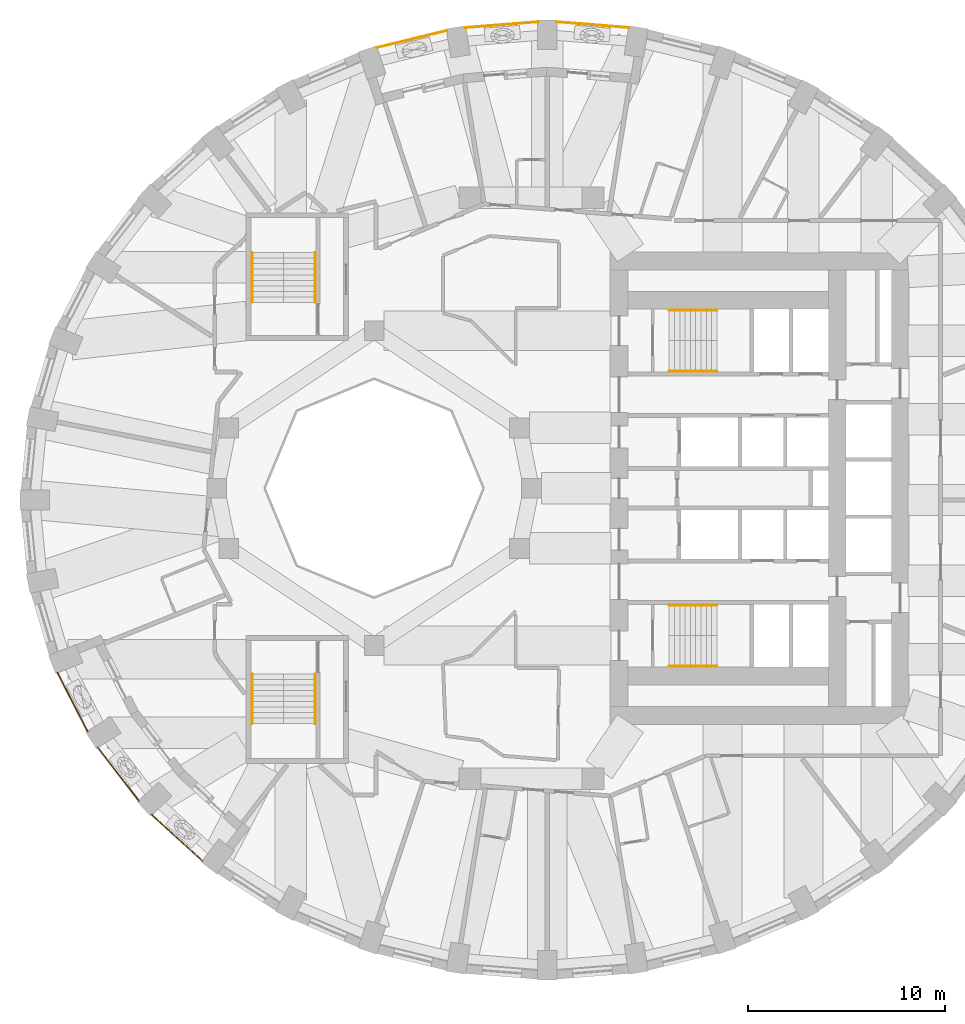
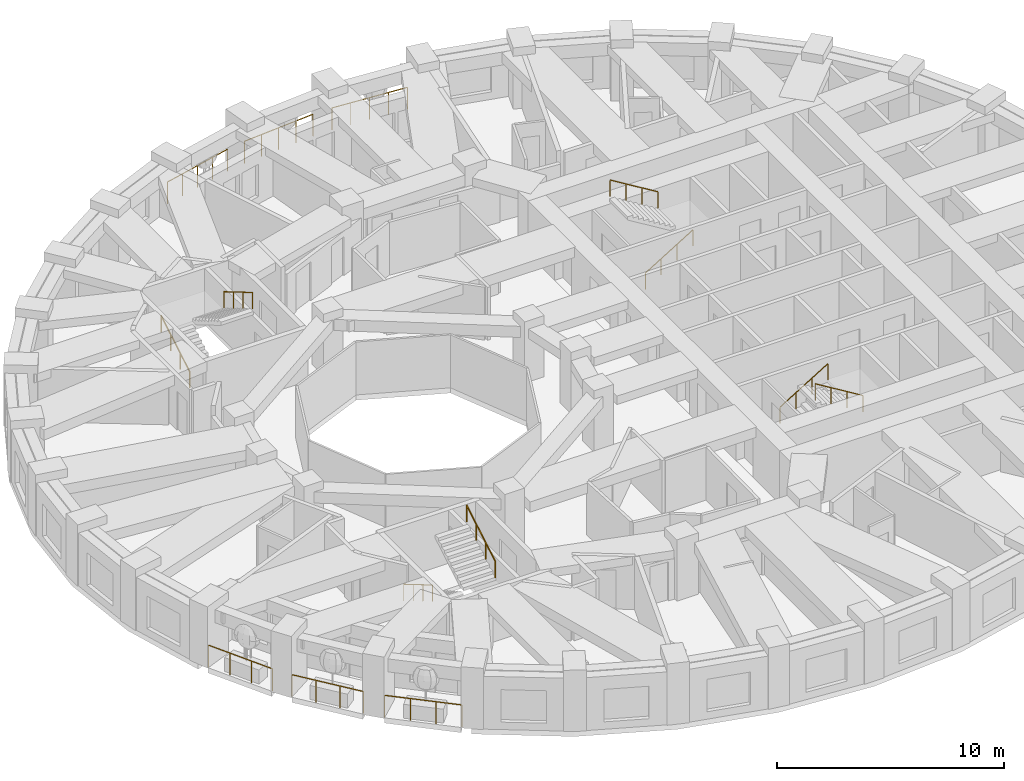
# One storey, part 10 of 12: 14 railings.
"""IFC4 building model written with IfcOpenShell, lengths in metres."""

from ifc_helpers import new_model, si_unit, direction, frame, origin, origin_2d, place, context, subcontext, project, spatial, circle, extrude, material, type_object, element, save


model = new_model("IFC4")

# Units and contexts
model_context = context("Model", 3, precision=1e-05, world=origin(), true_north=direction((0.0, 1.0)))
body_context = subcontext(model_context, "Body", "Model", "MODEL_VIEW")
ifc_project = project(units=[si_unit("LENGTHUNIT", "METRE"), si_unit("AREAUNIT", "SQUARE_METRE"), si_unit("VOLUMEUNIT", "CUBIC_METRE"), si_unit("PLANEANGLEUNIT", "RADIAN"), si_unit("MASSUNIT", "GRAM", prefix="KILO")], contexts=[model_context])

# Site, building, storey
site_placement = place(None, origin())
site = spatial("IfcSite", under=ifc_project, at=site_placement, CompositionType="ELEMENT")
building_placement = place(site_placement, origin())
building = spatial("IfcBuilding", under=site, at=building_placement, Name="Taillehof Tower", CompositionType="ELEMENT")
storey_placement = place(building_placement, frame((0.0, 0.0, 131.800048828125)))
storey = spatial("IfcBuildingStorey", under=building, at=storey_placement, Name="L37", CompositionType="ELEMENT", Elevation=131.800048828125)

# Railings
ifc_material_1 = material(Name="Stainless steel balustrade", Category="steel")
railing_type_1 = type_object("IfcRailingType", Name="Balcony guard 1200", PredefinedType="GUARDRAIL", material=ifc_material_1)
railing_1_placement = place(storey_placement, frame((4.952880859375, 23.409912109375, 0.0)))
element("IfcRailing", 1, at=railing_1_placement, inside=storey, type_object=railing_type_1, Name="Balcony guard L37 bay 9", PredefinedType="GUARDRAIL", context=body_context, shape_type="SweptSolid", body=[
    extrude(circle(Radius=0.02392578125, at=origin_2d()), frame((0.0, 0.0, 1.17578125), z_axis=(-0.996859998308, 0.07918423943, 0.0), x_axis=(-0.07918423943, -0.996859998308, 0.0)), (0.0, 0.0, 1.0), 3.684326171875),
    extrude(circle(Radius=0.02099609375, at=origin_2d()), origin(), (0.0, 0.0, 1.0), 1.15185546875),
    extrude(circle(Radius=0.02099609375, at=origin_2d()), frame((-0.918212890625, 0.072998046875, 0.0)), (0.0, 0.0, 1.0), 1.15185546875),
    extrude(circle(Radius=0.02099609375, at=origin_2d()), frame((-1.83642578125, 0.14599609375, 0.0)), (0.0, 0.0, 1.0), 1.15185546875),
    extrude(circle(Radius=0.02099609375, at=origin_2d()), frame((-2.754638671875, 0.21875, 0.0)), (0.0, 0.0, 1.0), 1.15185546875),
    extrude(circle(Radius=0.02099609375, at=origin_2d()), frame((-3.6728515625, 0.291748046875, 0.0)), (0.0, 0.0, 1.0), 1.15185546875),
])
railing_2_placement = place(storey_placement, frame((0.31982421875, 23.70166015625, 0.0)))
element("IfcRailing", 2, at=railing_2_placement, inside=storey, type_object=railing_type_1, Name="Balcony guard L37 bay 10", PredefinedType="GUARDRAIL", context=body_context, shape_type="SweptSolid", body=[
    extrude(circle(Radius=0.02392578125, at=origin_2d()), frame((0.0, 0.0, 1.17578125), z_axis=(-0.996859582788, -0.079189470281, 0.0), x_axis=(0.079189470281, -0.996859582788, 0.0)), (0.0, 0.0, 1.0), 3.68408203125),
    extrude(circle(Radius=0.02099609375, at=origin_2d()), origin(), (0.0, 0.0, 1.0), 1.15185546875),
    extrude(circle(Radius=0.02099609375, at=origin_2d()), frame((-0.918212890625, -0.072998046875, 0.0)), (0.0, 0.0, 1.0), 1.15185546875),
    extrude(circle(Radius=0.02099609375, at=origin_2d()), frame((-1.83642578125, -0.14599609375, 0.0)), (0.0, 0.0, 1.0), 1.15185546875),
    extrude(circle(Radius=0.02099609375, at=origin_2d()), frame((-2.75439453125, -0.21875, 0.0)), (0.0, 0.0, 1.0), 1.15185546875),
    extrude(circle(Radius=0.02099609375, at=origin_2d()), frame((-3.672607421875, -0.291748046875, 0.0)), (0.0, 0.0, 1.0), 1.15185546875),
])
railing_3_placement = place(storey_placement, frame((-4.30078125, 23.258056640625, 0.0)))
element("IfcRailing", 3, at=railing_3_placement, inside=storey, type_object=railing_type_1, Name="Balcony guard L37 bay 11", PredefinedType="GUARDRAIL", context=body_context, shape_type="SweptSolid", body=[
    extrude(circle(Radius=0.02392578125, at=origin_2d()), frame((0.0, 0.0, 1.17578125), z_axis=(-0.97164897724, -0.23642813925, 0.0), x_axis=(0.23642813925, -0.97164897724, 0.0)), (0.0, 0.0, 1.0), 3.66162109375),
    extrude(circle(Radius=0.02099609375, at=origin_2d()), origin(), (0.0, 0.0, 1.0), 1.15185546875),
    extrude(circle(Radius=0.02099609375, at=origin_2d()), frame((-0.889404296875, -0.21630859375, 0.0)), (0.0, 0.0, 1.0), 1.15185546875),
    extrude(circle(Radius=0.02099609375, at=origin_2d()), frame((-1.77880859375, -0.432861328125, 0.0)), (0.0, 0.0, 1.0), 1.15185546875),
    extrude(circle(Radius=0.02099609375, at=origin_2d()), frame((-2.66845703125, -0.6494140625, 0.0)), (0.0, 0.0, 1.0), 1.15185546875),
    extrude(circle(Radius=0.02099609375, at=origin_2d()), frame((-3.557861328125, -0.86572265625, 0.0)), (0.0, 0.0, 1.0), 1.15185546875),
])
railing_4_placement = place(storey_placement, frame((-24.09912109375, -9.373779296875, 0.0)))
element("IfcRailing", 4, at=railing_4_placement, inside=storey, type_object=railing_type_1, Name="Balcony guard L37 bay 21", PredefinedType="GUARDRAIL", context=body_context, shape_type="SweptSolid", body=[
    extrude(circle(Radius=0.02392578125, at=origin_2d()), frame((0.0, 0.0, 1.17578125), z_axis=(0.456827973353, -0.88955505887, 0.0), x_axis=(0.88955505887, 0.456827973353, 0.0)), (0.0, 0.0, 1.0), 3.363037109375),
    extrude(circle(Radius=0.02099609375, at=origin_2d()), origin(), (0.0, 0.0, 1.0), 1.15185546875),
    extrude(circle(Radius=0.02099609375, at=origin_2d()), frame((0.51220703125, -0.997314453125, 0.0)), (0.0, 0.0, 1.0), 1.15185546875),
    extrude(circle(Radius=0.02099609375, at=origin_2d()), frame((1.024169921875, -1.994384765625, 0.0)), (0.0, 0.0, 1.0), 1.15185546875),
    extrude(circle(Radius=0.02099609375, at=origin_2d()), frame((1.536376953125, -2.99169921875, 0.0)), (0.0, 0.0, 1.0), 1.15185546875),
])
railing_5_placement = place(storey_placement, frame((-22.048095703125, -13.17626953125, 0.0)))
element("IfcRailing", 5, at=railing_5_placement, inside=storey, type_object=railing_type_1, Name="Balcony guard L37 bay 22", PredefinedType="GUARDRAIL", context=body_context, shape_type="SweptSolid", body=[
    extrude(circle(Radius=0.02392578125, at=origin_2d()), frame((0.0, 0.0, 1.17578125), z_axis=(0.610692337077, -0.791867962122, 0.0), x_axis=(0.791867962122, 0.610692337077, 0.0)), (0.0, 0.0, 1.0), 3.424072265625),
    extrude(circle(Radius=0.02099609375, at=origin_2d()), origin(), (0.0, 0.0, 1.0), 1.15185546875),
    extrude(circle(Radius=0.02099609375, at=origin_2d()), frame((0.697021484375, -0.90380859375, 0.0)), (0.0, 0.0, 1.0), 1.15185546875),
    extrude(circle(Radius=0.02099609375, at=origin_2d()), frame((1.39404296875, -1.8076171875, 0.0)), (0.0, 0.0, 1.0), 1.15185546875),
    extrude(circle(Radius=0.02099609375, at=origin_2d()), frame((2.091064453125, -2.71142578125, 0.0)), (0.0, 0.0, 1.0), 1.15185546875),
])
railing_6_placement = place(storey_placement, frame((-19.305908203125, -16.593505859375, 0.0)))
element("IfcRailing", 6, at=railing_6_placement, inside=storey, type_object=railing_type_1, Name="Balcony guard L37 bay 23", PredefinedType="GUARDRAIL", context=body_context, shape_type="SweptSolid", body=[
    extrude(circle(Radius=0.02392578125, at=origin_2d()), frame((0.0, 0.0, 1.17578125), z_axis=(0.740395369755, -0.672171627225, 0.0), x_axis=(0.672171627225, 0.740395369755, 0.0)), (0.0, 0.0, 1.0), 3.49267578125),
    extrude(circle(Radius=0.02099609375, at=origin_2d()), origin(), (0.0, 0.0, 1.0), 1.15185546875),
    extrude(circle(Radius=0.02099609375, at=origin_2d()), frame((0.862060546875, -0.782470703125, 0.0)), (0.0, 0.0, 1.0), 1.15185546875),
    extrude(circle(Radius=0.02099609375, at=origin_2d()), frame((1.723876953125, -1.565185546875, 0.0)), (0.0, 0.0, 1.0), 1.15185546875),
    extrude(circle(Radius=0.02099609375, at=origin_2d()), frame((2.5859375, -2.34765625, 0.0)), (0.0, 0.0, 1.0), 1.15185546875),
])
ifc_material_2 = material(Name="Stainless steel", Category="steel")
railing_type_2 = type_object("IfcRailingType", Name="Stair handrail 900", PredefinedType="HANDRAIL", material=ifc_material_2)
railing_7_placement = place(storey_placement, frame((7.0, 5.949951171875, 0.1650390625)))
element("IfcRailing", 7, at=railing_7_placement, inside=storey, type_object=railing_type_2, Name="Stair S1 handrail", PredefinedType="HANDRAIL", context=body_context, shape_type="SweptSolid", body=[
    extrude(circle(Radius=0.02392578125, at=origin_2d()), frame((0.0, 0.0, 0.8759765625), z_axis=(0.853296667938, 0.0, 0.521425734392), x_axis=(0.0, 1.0, 0.0)), (0.0, 0.0, 1.0), 2.84765625),
    extrude(circle(Radius=0.02099609375, at=origin_2d()), origin(), (0.0, 0.0, 1.0), 0.851806640625),
    extrude(circle(Radius=0.02099609375, at=origin_2d()), frame((0.81005859375, 0.0, 0.494873046875)), (0.0, 0.0, 1.0), 0.851806640625),
    extrude(circle(Radius=0.02099609375, at=origin_2d()), frame((1.619873046875, 0.0, 0.989990234375)), (0.0, 0.0, 1.0), 0.851806640625),
    extrude(circle(Radius=0.02099609375, at=origin_2d()), frame((2.429931640625, 0.0, 1.48486328125)), (0.0, 0.0, 1.0), 0.851806640625),
])
railing_8_placement = place(storey_placement, frame((9.429931640625, 9.050048828125, 1.81494140625)))
element("IfcRailing", 8, at=railing_8_placement, inside=storey, type_object=railing_type_2, Name="Stair S1 handrail", PredefinedType="HANDRAIL", context=body_context, shape_type="SweptSolid", body=[
    extrude(circle(Radius=0.02392578125, at=origin_2d()), frame((0.0, 0.0, 0.8759765625), z_axis=(-0.853258522278, 0.0, 0.521488153423), x_axis=(0.0, -1.0, 0.0)), (0.0, 0.0, 1.0), 2.847900390625),
    extrude(circle(Radius=0.02099609375, at=origin_2d()), origin(), (0.0, 0.0, 1.0), 0.851806640625),
    extrude(circle(Radius=0.02099609375, at=origin_2d()), frame((-0.81005859375, 0.0, 0.4951171875)), (0.0, 0.0, 1.0), 0.851806640625),
    extrude(circle(Radius=0.02099609375, at=origin_2d()), frame((-1.619873046875, 0.0, 0.989990234375)), (0.0, 0.0, 1.0), 0.851806640625),
    extrude(circle(Radius=0.02099609375, at=origin_2d()), frame((-2.429931640625, 0.0, 1.485107421875)), (0.0, 0.0, 1.0), 0.851806640625),
])
railing_9_placement = place(storey_placement, frame((7.0, -5.949951171875, 0.1650390625)))
element("IfcRailing", 9, at=railing_9_placement, inside=storey, type_object=railing_type_2, Name="Stair S2 handrail", PredefinedType="HANDRAIL", context=body_context, shape_type="SweptSolid", body=[
    extrude(circle(Radius=0.02392578125, at=origin_2d()), frame((0.0, 0.0, 0.8759765625), z_axis=(0.853296667938, 0.0, 0.521425734392), x_axis=(0.0, 1.0, 0.0)), (0.0, 0.0, 1.0), 2.84765625),
    extrude(circle(Radius=0.02099609375, at=origin_2d()), origin(), (0.0, 0.0, 1.0), 0.851806640625),
    extrude(circle(Radius=0.02099609375, at=origin_2d()), frame((0.81005859375, 0.0, 0.494873046875)), (0.0, 0.0, 1.0), 0.851806640625),
    extrude(circle(Radius=0.02099609375, at=origin_2d()), frame((1.619873046875, 0.0, 0.989990234375)), (0.0, 0.0, 1.0), 0.851806640625),
    extrude(circle(Radius=0.02099609375, at=origin_2d()), frame((2.429931640625, 0.0, 1.48486328125)), (0.0, 0.0, 1.0), 0.851806640625),
])
railing_10_placement = place(storey_placement, frame((9.429931640625, -9.050048828125, 1.81494140625)))
element("IfcRailing", 10, at=railing_10_placement, inside=storey, type_object=railing_type_2, Name="Stair S2 handrail", PredefinedType="HANDRAIL", context=body_context, shape_type="SweptSolid", body=[
    extrude(circle(Radius=0.02392578125, at=origin_2d()), frame((0.0, 0.0, 0.8759765625), z_axis=(-0.853258522278, 0.0, 0.521488153423), x_axis=(0.0, -1.0, 0.0)), (0.0, 0.0, 1.0), 2.847900390625),
    extrude(circle(Radius=0.02099609375, at=origin_2d()), origin(), (0.0, 0.0, 1.0), 0.851806640625),
    extrude(circle(Radius=0.02099609375, at=origin_2d()), frame((-0.81005859375, 0.0, 0.4951171875)), (0.0, 0.0, 1.0), 0.851806640625),
    extrude(circle(Radius=0.02099609375, at=origin_2d()), frame((-1.619873046875, 0.0, 0.989990234375)), (0.0, 0.0, 1.0), 0.851806640625),
    extrude(circle(Radius=0.02099609375, at=origin_2d()), frame((-2.429931640625, 0.0, 1.485107421875)), (0.0, 0.0, 1.0), 0.851806640625),
])
railing_11_placement = place(storey_placement, frame((-14.199951171875, 9.449951171875, 0.1650390625)))
element("IfcRailing", 11, at=railing_11_placement, inside=storey, type_object=railing_type_2, Name="Stair S3 handrail", PredefinedType="HANDRAIL", context=body_context, shape_type="SweptSolid", body=[
    extrude(circle(Radius=0.02392578125, at=origin_2d()), frame((0.0, 0.0, 0.8759765625), z_axis=(0.0, 0.861560626758, 0.507654692109), x_axis=(-1.0, 0.0, 0.0)), (0.0, 0.0, 1.0), 2.925048828125),
    extrude(circle(Radius=0.02099609375, at=origin_2d()), origin(), (0.0, 0.0, 1.0), 0.851806640625),
    extrude(circle(Radius=0.02099609375, at=origin_2d()), frame((0.0, 0.840087890625, 0.494873046875)), (0.0, 0.0, 1.0), 0.851806640625),
    extrude(circle(Radius=0.02099609375, at=origin_2d()), frame((0.0, 1.679931640625, 0.989990234375)), (0.0, 0.0, 1.0), 0.851806640625),
    extrude(circle(Radius=0.02099609375, at=origin_2d()), frame((0.0, 2.52001953125, 1.48486328125)), (0.0, 0.0, 1.0), 0.851806640625),
])
railing_12_placement = place(storey_placement, frame((-11.0, 11.969970703125, 1.81494140625)))
element("IfcRailing", 12, at=railing_12_placement, inside=storey, type_object=railing_type_2, Name="Stair S3 handrail", PredefinedType="HANDRAIL", context=body_context, shape_type="SweptSolid", body=[
    extrude(circle(Radius=0.02392578125, at=origin_2d()), frame((0.0, 0.0, 0.8759765625), z_axis=(0.0, -0.86152411907, 0.507716645641), x_axis=(1.0, 0.0, 0.0)), (0.0, 0.0, 1.0), 2.925048828125),
    extrude(circle(Radius=0.02099609375, at=origin_2d()), origin(), (0.0, 0.0, 1.0), 0.851806640625),
    extrude(circle(Radius=0.02099609375, at=origin_2d()), frame((0.0, -0.840087890625, 0.4951171875)), (0.0, 0.0, 1.0), 0.851806640625),
    extrude(circle(Radius=0.02099609375, at=origin_2d()), frame((0.0, -1.679931640625, 0.989990234375)), (0.0, 0.0, 1.0), 0.851806640625),
    extrude(circle(Radius=0.02099609375, at=origin_2d()), frame((0.0, -2.52001953125, 1.485107421875)), (0.0, 0.0, 1.0), 0.851806640625),
])
railing_13_placement = place(storey_placement, frame((-14.199951171875, -9.449951171875, 0.1650390625)))
element("IfcRailing", 13, at=railing_13_placement, inside=storey, type_object=railing_type_2, Name="Stair S4 handrail", PredefinedType="HANDRAIL", context=body_context, shape_type="SweptSolid", body=[
    extrude(circle(Radius=0.02392578125, at=origin_2d()), frame((0.0, 0.0, 0.8759765625), z_axis=(0.0, -0.861560626758, 0.507654692109), x_axis=(1.0, 0.0, 0.0)), (0.0, 0.0, 1.0), 2.925048828125),
    extrude(circle(Radius=0.02099609375, at=origin_2d()), origin(), (0.0, 0.0, 1.0), 0.851806640625),
    extrude(circle(Radius=0.02099609375, at=origin_2d()), frame((0.0, -0.840087890625, 0.494873046875)), (0.0, 0.0, 1.0), 0.851806640625),
    extrude(circle(Radius=0.02099609375, at=origin_2d()), frame((0.0, -1.679931640625, 0.989990234375)), (0.0, 0.0, 1.0), 0.851806640625),
    extrude(circle(Radius=0.02099609375, at=origin_2d()), frame((0.0, -2.52001953125, 1.48486328125)), (0.0, 0.0, 1.0), 0.851806640625),
])
railing_14_placement = place(storey_placement, frame((-11.0, -11.969970703125, 1.81494140625)))
element("IfcRailing", 14, at=railing_14_placement, inside=storey, type_object=railing_type_2, Name="Stair S4 handrail", PredefinedType="HANDRAIL", context=body_context, shape_type="SweptSolid", body=[
    extrude(circle(Radius=0.02392578125, at=origin_2d()), frame((0.0, 0.0, 0.8759765625), z_axis=(0.0, 0.86152411907, 0.507716645641), x_axis=(-1.0, 0.0, 0.0)), (0.0, 0.0, 1.0), 2.925048828125),
    extrude(circle(Radius=0.02099609375, at=origin_2d()), origin(), (0.0, 0.0, 1.0), 0.851806640625),
    extrude(circle(Radius=0.02099609375, at=origin_2d()), frame((0.0, 0.840087890625, 0.4951171875)), (0.0, 0.0, 1.0), 0.851806640625),
    extrude(circle(Radius=0.02099609375, at=origin_2d()), frame((0.0, 1.679931640625, 0.989990234375)), (0.0, 0.0, 1.0), 0.851806640625),
    extrude(circle(Radius=0.02099609375, at=origin_2d()), frame((0.0, 2.52001953125, 1.485107421875)), (0.0, 0.0, 1.0), 0.851806640625),
])

save(model, "model.ifc")
